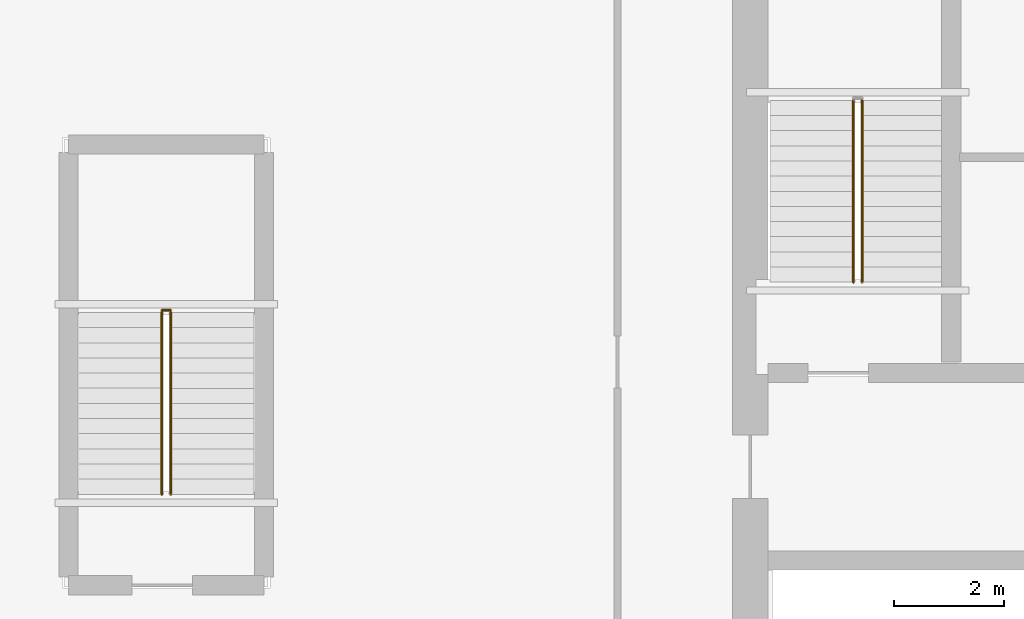
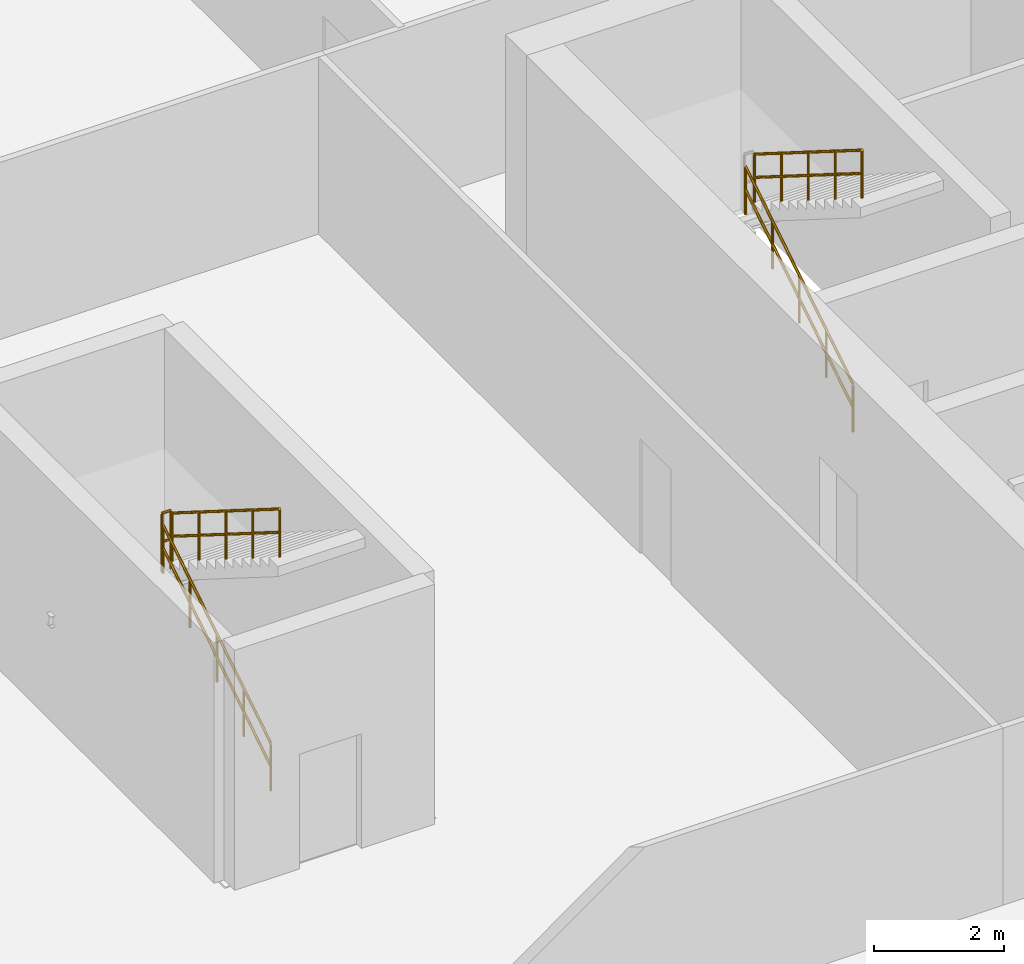
# One storey, part 7 of 9: 5 railings.
"""IFC4 building model written with IfcOpenShell, lengths in metres."""

from ifc_helpers import new_model, si_unit, direction, frame, origin, origin_2d, place, context, subcontext, project, spatial, circle, extrude, material, type_object, element, save


model = new_model("IFC4")

# Units and contexts
model_context = context("Model", 3, precision=1e-05, world=origin(), true_north=direction((0.0, 1.0)))
body_context = subcontext(model_context, "Body", "Model", "MODEL_VIEW")
ifc_project = project(units=[si_unit("LENGTHUNIT", "METRE"), si_unit("AREAUNIT", "SQUARE_METRE"), si_unit("VOLUMEUNIT", "CUBIC_METRE"), si_unit("PLANEANGLEUNIT", "RADIAN"), si_unit("MASSUNIT", "GRAM", prefix="KILO")], contexts=[model_context])

# Site, building, storey
site_placement = place(None, origin())
site = spatial("IfcSite", under=ifc_project, at=site_placement, CompositionType="ELEMENT")
building_placement = place(site_placement, origin())
building = spatial("IfcBuilding", under=site, at=building_placement, Name="Caelvoria Tower", CompositionType="ELEMENT")
storey_placement = place(building_placement, frame((0.0, 0.0, 5.0)))
storey = spatial("IfcBuildingStorey", under=building, at=storey_placement, Name="L01", CompositionType="ELEMENT", Elevation=5.0)

# Railings
ifc_material_1 = material(Name="Brushed Stainless Steel Tube", Category="steel")
railing_type_1 = type_object("IfcRailingType", Name="Stair Tubular Stainless Handrail 920", PredefinedType="HANDRAIL", material=ifc_material_1)
railing_1_placement = place(storey_placement, frame((38.8701171875, 33.449951171875, 0.173095703125)))
element("IfcRailing", 1, at=railing_1_placement, inside=storey, type_object=railing_type_1, Name="ST-01 Flight 1 Handrail L01", PredefinedType="HANDRAIL", context=body_context, shape_type="SweptSolid", body=[
    extrude(circle(Radius=0.02392578125, at=origin_2d()), frame((0.0, 0.0, 0.89599609375), z_axis=(0.0, 0.846337383501, 0.532647194011), x_axis=(-1.0, 0.0, 0.0)), (0.0, 0.0, 1.0), 3.899169921875),
    extrude(circle(Radius=0.02392578125, at=origin_2d()), frame((0.0, 0.0, 0.4599609375), z_axis=(0.0, 0.846337383501, 0.532647194011), x_axis=(-1.0, 0.0, 0.0)), (0.0, 0.0, 1.0), 3.899169921875),
    extrude(circle(Radius=0.02099609375, at=origin_2d()), origin(), (0.0, 0.0, 1.0), 0.871826171875),
    extrude(circle(Radius=0.02099609375, at=origin_2d()), frame((0.0, 0.824951171875, 0.519287109375)), (0.0, 0.0, 1.0), 0.871826171875),
    extrude(circle(Radius=0.02099609375, at=origin_2d()), frame((0.0, 1.64990234375, 1.03857421875)), (0.0, 0.0, 1.0), 0.871826171875),
    extrude(circle(Radius=0.02099609375, at=origin_2d()), frame((0.0, 2.47509765625, 1.5576171875)), (0.0, 0.0, 1.0), 0.871826171875),
    extrude(circle(Radius=0.02099609375, at=origin_2d()), frame((0.0, 3.300048828125, 2.076904296875)), (0.0, 0.0, 1.0), 0.871826171875),
])
railing_2_placement = place(storey_placement, frame((39.030029296875, 36.75, 2.423095703125)))
element("IfcRailing", 2, at=railing_2_placement, inside=storey, type_object=railing_type_1, Name="ST-01 Flight 2 Handrail L01", PredefinedType="HANDRAIL", context=body_context, shape_type="SweptSolid", body=[
    extrude(circle(Radius=0.02392578125, at=origin_2d()), frame((0.0, 0.0, 0.89599609375), z_axis=(0.0, -0.846337383501, 0.532647194011), x_axis=(1.0, 0.0, 0.0)), (0.0, 0.0, 1.0), 3.899169921875),
    extrude(circle(Radius=0.02392578125, at=origin_2d()), frame((0.0, 0.0, 0.4599609375), z_axis=(0.0, -0.846337383501, 0.532647194011), x_axis=(1.0, 0.0, 0.0)), (0.0, 0.0, 1.0), 3.899169921875),
    extrude(circle(Radius=0.02099609375, at=origin_2d()), origin(), (0.0, 0.0, 1.0), 0.871826171875),
    extrude(circle(Radius=0.02099609375, at=origin_2d()), frame((0.0, -0.824951171875, 0.519287109375)), (0.0, 0.0, 1.0), 0.871826171875),
    extrude(circle(Radius=0.02099609375, at=origin_2d()), frame((0.0, -1.64990234375, 1.03857421875)), (0.0, 0.0, 1.0), 0.871826171875),
    extrude(circle(Radius=0.02099609375, at=origin_2d()), frame((0.0, -2.47509765625, 1.5576171875)), (0.0, 0.0, 1.0), 0.871826171875),
    extrude(circle(Radius=0.02099609375, at=origin_2d()), frame((0.0, -3.300048828125, 2.076904296875)), (0.0, 0.0, 1.0), 0.871826171875),
])
railing_3_placement = place(storey_placement, frame((26.320068359375, 29.60009765625, 0.173095703125)))
element("IfcRailing", 3, at=railing_3_placement, inside=storey, type_object=railing_type_1, Name="ST-03 Flight 1 Handrail L01", PredefinedType="HANDRAIL", context=body_context, shape_type="SweptSolid", body=[
    extrude(circle(Radius=0.02392578125, at=origin_2d()), frame((0.0, 0.0, 0.89599609375), z_axis=(0.0, 0.846319618018, 0.532675421018), x_axis=(-1.0, 0.0, 0.0)), (0.0, 0.0, 1.0), 3.89892578125),
    extrude(circle(Radius=0.02392578125, at=origin_2d()), frame((0.0, 0.0, 0.4599609375), z_axis=(0.0, 0.846319618018, 0.532675421018), x_axis=(-1.0, 0.0, 0.0)), (0.0, 0.0, 1.0), 3.89892578125),
    extrude(circle(Radius=0.02099609375, at=origin_2d()), origin(), (0.0, 0.0, 1.0), 0.871826171875),
    extrude(circle(Radius=0.02099609375, at=origin_2d()), frame((0.0, 0.824951171875, 0.519287109375)), (0.0, 0.0, 1.0), 0.871826171875),
    extrude(circle(Radius=0.02099609375, at=origin_2d()), frame((0.0, 1.64990234375, 1.03857421875)), (0.0, 0.0, 1.0), 0.871826171875),
    extrude(circle(Radius=0.02099609375, at=origin_2d()), frame((0.0, 2.474853515625, 1.5576171875)), (0.0, 0.0, 1.0), 0.871826171875),
    extrude(circle(Radius=0.02099609375, at=origin_2d()), frame((0.0, 3.2998046875, 2.076904296875)), (0.0, 0.0, 1.0), 0.871826171875),
])
railing_4_placement = place(storey_placement, frame((26.47998046875, 32.89990234375, 2.423095703125)))
element("IfcRailing", 4, at=railing_4_placement, inside=storey, type_object=railing_type_1, Name="ST-03 Flight 2 Handrail L01", PredefinedType="HANDRAIL", context=body_context, shape_type="SweptSolid", body=[
    extrude(circle(Radius=0.02392578125, at=origin_2d()), frame((0.0, 0.0, 0.89599609375), z_axis=(0.0, -0.846319618018, 0.532675421018), x_axis=(1.0, 0.0, 0.0)), (0.0, 0.0, 1.0), 3.89892578125),
    extrude(circle(Radius=0.02392578125, at=origin_2d()), frame((0.0, 0.0, 0.4599609375), z_axis=(0.0, -0.846319618018, 0.532675421018), x_axis=(1.0, 0.0, 0.0)), (0.0, 0.0, 1.0), 3.89892578125),
    extrude(circle(Radius=0.02099609375, at=origin_2d()), origin(), (0.0, 0.0, 1.0), 0.871826171875),
    extrude(circle(Radius=0.02099609375, at=origin_2d()), frame((0.0, -0.824951171875, 0.519287109375)), (0.0, 0.0, 1.0), 0.871826171875),
    extrude(circle(Radius=0.02099609375, at=origin_2d()), frame((0.0, -1.64990234375, 1.03857421875)), (0.0, 0.0, 1.0), 0.871826171875),
    extrude(circle(Radius=0.02099609375, at=origin_2d()), frame((0.0, -2.474853515625, 1.5576171875)), (0.0, 0.0, 1.0), 0.871826171875),
    extrude(circle(Radius=0.02099609375, at=origin_2d()), frame((0.0, -3.2998046875, 2.076904296875)), (0.0, 0.0, 1.0), 0.871826171875),
])
ifc_material_2 = material(Name="Brushed Stainless Steel Guardrail", Category="steel")
railing_type_2 = type_object("IfcRailingType", Name="Stair Well and Ramp Guardrail 1120", PredefinedType="GUARDRAIL", material=ifc_material_2)
railing_5_placement = place(storey_placement, frame((26.320068359375, 32.93994140625, 2.25)))
element("IfcRailing", 5, at=railing_5_placement, inside=storey, type_object=railing_type_2, Name="ST-03 Half-Landing Well Guard L01", PredefinedType="GUARDRAIL", context=body_context, shape_type="SweptSolid", body=[
    extrude(circle(Radius=0.02392578125, at=origin_2d()), frame((0.0, 0.0, 1.09619140625), z_axis=(1.0, 0.0, 0.0), x_axis=(0.0, 1.0, 0.0)), (0.0, 0.0, 1.0), 0.159912109375),
    extrude(circle(Radius=0.02392578125, at=origin_2d()), frame((0.0, 0.0, 0.56005859375), z_axis=(1.0, 0.0, 0.0), x_axis=(0.0, 1.0, 0.0)), (0.0, 0.0, 1.0), 0.159912109375),
    extrude(circle(Radius=0.02099609375, at=origin_2d()), origin(), (0.0, 0.0, 1.0), 1.072021484375),
    extrude(circle(Radius=0.02099609375, at=origin_2d()), frame((0.159912109375, 0.0, 0.0)), (0.0, 0.0, 1.0), 1.072021484375),
])

save(model, "model.ifc")
